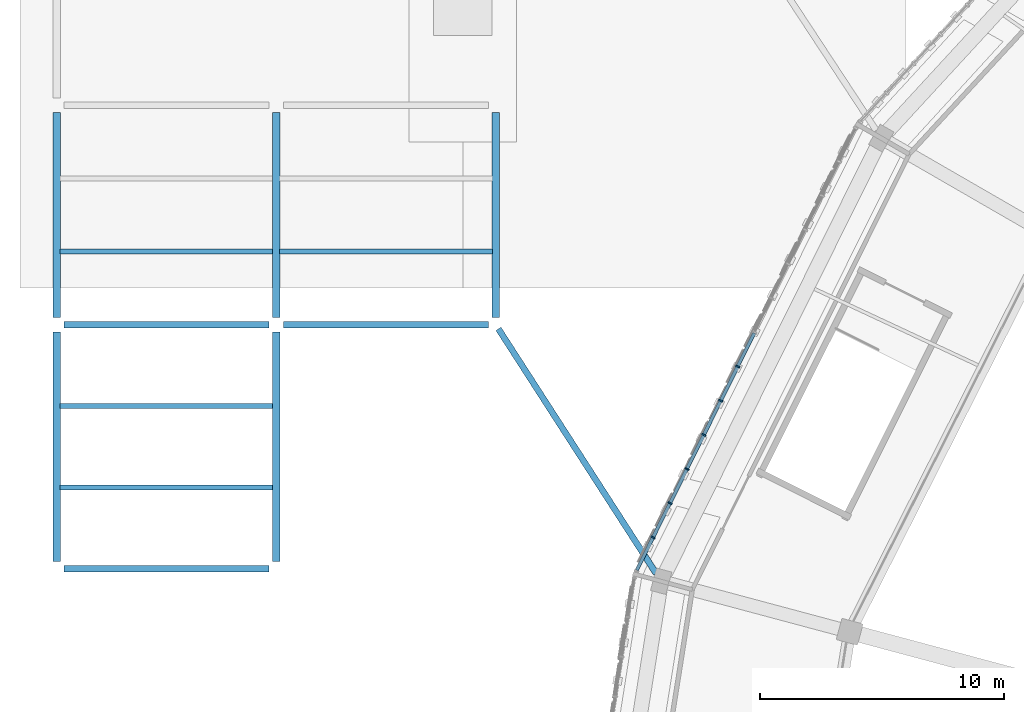
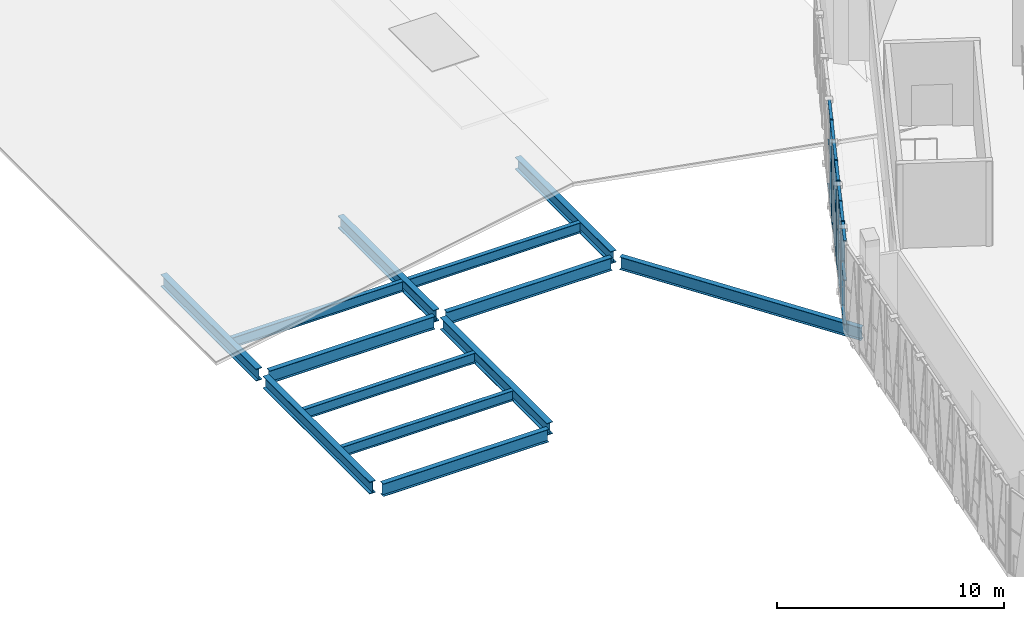
# One storey, part 16 of 108: 27 members, 13 beams, 1 element without a shape of its own.
"""IFC4 building model written with IfcOpenShell, lengths in metres."""

from ifc_helpers import new_model, si_unit, direction, frame, origin, origin_2d, place, context, subcontext, project, spatial, rectangle, i_section, extrude, material, material_profile, profile_set, type_object, element, aggregate, save


model = new_model("IFC4")

# Units and contexts
model_context = context("Model", 3, precision=1e-05, world=origin(), true_north=direction((0.0, 1.0)))
body_context = subcontext(model_context, "Body", "Model", "MODEL_VIEW")
ifc_project = project(units=[si_unit("LENGTHUNIT", "METRE"), si_unit("AREAUNIT", "SQUARE_METRE"), si_unit("VOLUMEUNIT", "CUBIC_METRE"), si_unit("PLANEANGLEUNIT", "RADIAN"), si_unit("MASSUNIT", "GRAM", prefix="KILO")], contexts=[model_context])

# Site, building, storey
site_placement = place(None, origin())
site = spatial("IfcSite", under=ifc_project, at=site_placement, CompositionType="ELEMENT")
building_placement = place(site_placement, origin())
building = spatial("IfcBuilding", under=site, at=building_placement, Name="Zevraka Park Crest Stadium", CompositionType="ELEMENT")
storey_placement = place(building_placement, frame((0.0, 0.0, 19.800048828125)))
storey = spatial("IfcBuildingStorey", under=building, at=storey_placement, Name="L04", CompositionType="ELEMENT", Elevation=19.800048828125)

# Beams
ifc_material_1 = material(Name="Steel S355", Category="steel")
ifc_material_profile_1 = material_profile(ifc_material_1, i_section(OverallWidth=0.253662109375, OverallDepth=0.68359375, WebThickness=0.012451171875, FlangeThickness=0.01904296875, at=origin_2d()), Name="UKB 686x254x140")
ifc_profile_set_1 = profile_set([ifc_material_profile_1], Name="Steel S355")
beam_type_1 = type_object("IfcBeamType", Name="BG05", PredefinedType="BEAM", material=ifc_profile_set_1)
for number, where, z_axis, x_axis, name in (
    (1, (0.300048828125, 112.0, -0.60986328125), (1.0, 0.0, 0.0), (0.0, 1.0, 0.0), "Wing Girder BG05 L04-12/N"),
    (2, (0.300048828125, 122.0, -0.60986328125), (1.0, 0.0, 0.0), (0.0, 1.0, 0.0), "Wing Girder BG05 L04-12/P"),
    (3, (9.300048828125, 122.0, -0.60986328125), (1.0, 0.0, 0.0), (0.0, 1.0, 0.0), "Wing Girder BG05 L04-23/P"),
):
    element("IfcBeam", number, at=place(storey_placement, frame(where, z_axis=z_axis, x_axis=x_axis)), inside=storey, type_object=beam_type_1, Name=name, PredefinedType="BEAM", context=body_context, shape_type="SweptSolid", body=[
        extrude(i_section(OverallWidth=0.253662109375, OverallDepth=0.68359375, WebThickness=0.012451171875, FlangeThickness=0.01904296875, at=origin_2d()), origin(), (0.0, 0.0, 1.0), 8.39990234375),
    ])
beam_1_placement = place(storey_placement, frame((18.10791015625, 121.83203125, -0.60986328125), z_axis=(0.541895124662, -0.840446115981, 0.0), x_axis=(0.840446115981, 0.541895124662, 0.0)))
element("IfcBeam", 4, at=beam_1_placement, inside=storey, type_object=beam_type_1, Name="Wing Link Girder BG05 L04-3/P", PredefinedType="BEAM", context=body_context, shape_type="SweptSolid", body=[
    extrude(i_section(OverallWidth=0.253662109375, OverallDepth=0.68359375, WebThickness=0.012451171875, FlangeThickness=0.01904296875, at=origin_2d()), origin(), (0.0, 0.0, 1.0), 11.927001953125),
])
ifc_material_2 = material(Name="Steel S355", Category="steel")
ifc_material_profile_2 = material_profile(ifc_material_2, i_section(OverallWidth=0.300048828125, OverallDepth=0.64990234375, WebThickness=0.01611328125, FlangeThickness=0.031005859375, at=origin_2d()), Name="HEB 650")
ifc_profile_set_2 = profile_set([ifc_material_profile_2], Name="Steel S355")
beam_type_2 = type_object("IfcBeamType", Name="BG07", PredefinedType="BEAM", material=ifc_profile_set_2)
beam_2_placement = place(storey_placement, frame((0.0, 112.300048828125, -0.593017578125), z_axis=(0.0, 1.0, 0.0), x_axis=(-1.0, 0.0, 0.0)))
element("IfcBeam", 5, at=beam_2_placement, inside=storey, type_object=beam_type_2, Name="Wing Girder BG07 L04-1/NP", PredefinedType="BEAM", context=body_context, shape_type="SweptSolid", body=[
    extrude(i_section(OverallWidth=0.300048828125, OverallDepth=0.64990234375, WebThickness=0.01611328125, FlangeThickness=0.031005859375, at=origin_2d()), origin(), (0.0, 0.0, 1.0), 9.39990234375),
])
beam_3_placement = place(storey_placement, frame((0.0, 122.300048828125, -0.593017578125), z_axis=(0.0, 1.0, 0.0), x_axis=(-1.0, 0.0, 0.0)))
element("IfcBeam", 6, at=beam_3_placement, inside=storey, type_object=beam_type_2, Name="Wing Girder BG07 L04-1/PQ", PredefinedType="BEAM", context=body_context, shape_type="SweptSolid", body=[
    extrude(i_section(OverallWidth=0.300048828125, OverallDepth=0.64990234375, WebThickness=0.01611328125, FlangeThickness=0.031005859375, at=origin_2d()), origin(), (0.0, 0.0, 1.0), 8.39990234375),
])
beam_4_placement = place(storey_placement, frame((9.0, 112.300048828125, -0.593017578125), z_axis=(0.0, 1.0, 0.0), x_axis=(-1.0, 0.0, 0.0)))
element("IfcBeam", 7, at=beam_4_placement, inside=storey, type_object=beam_type_2, Name="Wing Girder BG07 L04-2/NP", PredefinedType="BEAM", context=body_context, shape_type="SweptSolid", body=[
    extrude(i_section(OverallWidth=0.300048828125, OverallDepth=0.64990234375, WebThickness=0.01611328125, FlangeThickness=0.031005859375, at=origin_2d()), origin(), (0.0, 0.0, 1.0), 9.39990234375),
])
for number, where, z_axis, x_axis, name in (
    (8, (9.0, 122.300048828125, -0.593017578125), (0.0, 1.0, 0.0), (-1.0, 0.0, 0.0), "Wing Girder BG07 L04-2/PQ"),
    (9, (18.0, 122.300048828125, -0.593017578125), (0.0, 1.0, 0.0), (-1.0, 0.0, 0.0), "Wing Girder BG07 L04-3/PQ"),
):
    element("IfcBeam", number, at=place(storey_placement, frame(where, z_axis=z_axis, x_axis=x_axis)), inside=storey, type_object=beam_type_2, Name=name, PredefinedType="BEAM", context=body_context, shape_type="SweptSolid", body=[
        extrude(i_section(OverallWidth=0.300048828125, OverallDepth=0.64990234375, WebThickness=0.01611328125, FlangeThickness=0.031005859375, at=origin_2d()), origin(), (0.0, 0.0, 1.0), 8.39990234375),
    ])

# Curtain wall, members
ifc_material_3 = material(Name="Anodised architectural aluminium and laminated safety glass", Category="aluminium")
curtain_wall_type = type_object("IfcCurtainWallType", Name="CW17", PredefinedType="NOTDEFINED", material=ifc_material_3)
curtain_wall_placement = place(storey_placement, origin())
curtain_wall = element("IfcCurtainWall", 10, at=curtain_wall_placement, inside=storey, type_object=curtain_wall_type, Name="Unitised Ring Curtain Wall CW17 L04-10", PredefinedType="NOTDEFINED")
ifc_material_4 = material(Name="Anodised architectural aluminium", Category="aluminium")
ifc_material_profile_3 = material_profile(ifc_material_4, rectangle(XDim=0.179931640625, YDim=0.06494140625, at=origin_2d()), Name="ALU MULLION 180x65")
ifc_profile_set_3 = profile_set([ifc_material_profile_3], Name="Anodised architectural aluminium")
member_type_1 = type_object("IfcMemberType", Name="CM02", PredefinedType="MULLION", material=ifc_profile_set_3)
member_1_placement = place(storey_placement, frame((27.91357421875, 120.28955078125, 0.0), z_axis=(0.0, 0.0, 1.0), x_axis=(0.896046076106, -0.443961067545, 0.0)))
member_1 = element("IfcMember", 11, at=member_1_placement, type_object=member_type_1, Name="CW17 mullion 8", PredefinedType="MULLION", context=body_context, shape_type="SweptSolid", body=[
    extrude(rectangle(XDim=0.179931640625, YDim=0.06494140625, at=origin_2d()), origin(), (0.0, 0.0, 1.0), 4.5400390625),
])
member_2_placement = place(storey_placement, frame((27.219970703125, 118.8896484375, 0.0), z_axis=(0.0, 0.0, 1.0), x_axis=(0.896046076106, -0.443961067545, 0.0)))
member_2 = element("IfcMember", 12, at=member_2_placement, type_object=member_type_1, Name="CW17 mullion 9", PredefinedType="MULLION", context=body_context, shape_type="SweptSolid", body=[
    extrude(rectangle(XDim=0.179931640625, YDim=0.06494140625, at=origin_2d()), origin(), (0.0, 0.0, 1.0), 4.5400390625),
])
member_3_placement = place(storey_placement, frame((26.5263671875, 117.48974609375, 0.0), z_axis=(0.0, 0.0, 1.0), x_axis=(0.896046076106, -0.443961067545, 0.0)))
member_3 = element("IfcMember", 13, at=member_3_placement, type_object=member_type_1, Name="CW17 mullion 10", PredefinedType="MULLION", context=body_context, shape_type="SweptSolid", body=[
    extrude(rectangle(XDim=0.179931640625, YDim=0.06494140625, at=origin_2d()), origin(), (0.0, 0.0, 1.0), 4.5400390625),
])
member_4_placement = place(storey_placement, frame((25.832763671875, 116.08984375, 0.0), z_axis=(0.0, 0.0, 1.0), x_axis=(0.896046076106, -0.443961067545, 0.0)))
member_4 = element("IfcMember", 14, at=member_4_placement, type_object=member_type_1, Name="CW17 mullion 11", PredefinedType="MULLION", context=body_context, shape_type="SweptSolid", body=[
    extrude(rectangle(XDim=0.179931640625, YDim=0.06494140625, at=origin_2d()), origin(), (0.0, 0.0, 1.0), 4.5400390625),
])
member_5_placement = place(storey_placement, frame((25.13916015625, 114.68994140625, 0.0), z_axis=(0.0, 0.0, 1.0), x_axis=(0.896046076106, -0.443961067545, 0.0)))
member_5 = element("IfcMember", 15, at=member_5_placement, type_object=member_type_1, Name="CW17 mullion 12", PredefinedType="MULLION", context=body_context, shape_type="SweptSolid", body=[
    extrude(rectangle(XDim=0.179931640625, YDim=0.06494140625, at=origin_2d()), origin(), (0.0, 0.0, 1.0), 4.5400390625),
])
member_6_placement = place(storey_placement, frame((24.445556640625, 113.2900390625, 0.0), z_axis=(0.0, 0.0, 1.0), x_axis=(0.896046076106, -0.443961067545, 0.0)))
member_6 = element("IfcMember", 16, at=member_6_placement, type_object=member_type_1, Name="CW17 mullion 13", PredefinedType="MULLION", context=body_context, shape_type="SweptSolid", body=[
    extrude(rectangle(XDim=0.179931640625, YDim=0.06494140625, at=origin_2d()), origin(), (0.0, 0.0, 1.0), 4.5400390625),
])
ifc_material_5 = material(Name="Anodised architectural aluminium", Category="aluminium")
ifc_material_profile_4 = material_profile(ifc_material_5, rectangle(XDim=0.139892578125, YDim=0.06494140625, at=origin_2d()), Name="ALU TRANSOM 140x65")
ifc_profile_set_4 = profile_set([ifc_material_profile_4], Name="Anodised architectural aluminium")
member_type_2 = type_object("IfcMemberType", Name="CT02", PredefinedType="USERDEFINED", material=ifc_profile_set_4)
member_7_placement = place(storey_placement, frame((28.5927734375, 121.660400390625, 0.032470703125), z_axis=(-0.443818964624, -0.89611646935, 0.0), x_axis=(0.89611646935, -0.443818964624, 0.0)))
member_7 = element("IfcMember", 17, at=member_7_placement, type_object=member_type_2, Name="CW17 transom 7.1", ObjectType="TRANSOM", PredefinedType="USERDEFINED", context=body_context, shape_type="SweptSolid", body=[
    extrude(rectangle(XDim=0.139892578125, YDim=0.06494140625, at=origin_2d()), origin(), (0.0, 0.0, 1.0), 1.497314453125),
])
member_8_placement = place(storey_placement, frame((28.5927734375, 121.660400390625, 2.39990234375), z_axis=(-0.443818964624, -0.89611646935, 0.0), x_axis=(0.89611646935, -0.443818964624, 0.0)))
member_8 = element("IfcMember", 18, at=member_8_placement, type_object=member_type_2, Name="CW17 transom 7.2", ObjectType="TRANSOM", PredefinedType="USERDEFINED", context=body_context, shape_type="SweptSolid", body=[
    extrude(rectangle(XDim=0.139892578125, YDim=0.06494140625, at=origin_2d()), origin(), (0.0, 0.0, 1.0), 1.497314453125),
])
member_9_placement = place(storey_placement, frame((28.5927734375, 121.660400390625, 4.507568359375), z_axis=(-0.443818964624, -0.89611646935, 0.0), x_axis=(0.89611646935, -0.443818964624, 0.0)))
member_9 = element("IfcMember", 19, at=member_9_placement, type_object=member_type_2, Name="CW17 transom 7.3", ObjectType="TRANSOM", PredefinedType="USERDEFINED", context=body_context, shape_type="SweptSolid", body=[
    extrude(rectangle(XDim=0.139892578125, YDim=0.06494140625, at=origin_2d()), origin(), (0.0, 0.0, 1.0), 1.497314453125),
])
member_10_placement = place(storey_placement, frame((27.899169921875, 120.260498046875, 0.032470703125), z_axis=(-0.443818964624, -0.89611646935, 0.0), x_axis=(0.89611646935, -0.443818964624, 0.0)))
member_10 = element("IfcMember", 20, at=member_10_placement, type_object=member_type_2, Name="CW17 transom 8.1", ObjectType="TRANSOM", PredefinedType="USERDEFINED", context=body_context, shape_type="SweptSolid", body=[
    extrude(rectangle(XDim=0.139892578125, YDim=0.06494140625, at=origin_2d()), origin(), (0.0, 0.0, 1.0), 1.497314453125),
])
member_11_placement = place(storey_placement, frame((27.899169921875, 120.260498046875, 2.39990234375), z_axis=(-0.443818964624, -0.89611646935, 0.0), x_axis=(0.89611646935, -0.443818964624, 0.0)))
member_11 = element("IfcMember", 21, at=member_11_placement, type_object=member_type_2, Name="CW17 transom 8.2", ObjectType="TRANSOM", PredefinedType="USERDEFINED", context=body_context, shape_type="SweptSolid", body=[
    extrude(rectangle(XDim=0.139892578125, YDim=0.06494140625, at=origin_2d()), origin(), (0.0, 0.0, 1.0), 1.497314453125),
])
member_12_placement = place(storey_placement, frame((27.899169921875, 120.260498046875, 4.507568359375), z_axis=(-0.443818964624, -0.89611646935, 0.0), x_axis=(0.89611646935, -0.443818964624, 0.0)))
member_12 = element("IfcMember", 22, at=member_12_placement, type_object=member_type_2, Name="CW17 transom 8.3", ObjectType="TRANSOM", PredefinedType="USERDEFINED", context=body_context, shape_type="SweptSolid", body=[
    extrude(rectangle(XDim=0.139892578125, YDim=0.06494140625, at=origin_2d()), origin(), (0.0, 0.0, 1.0), 1.497314453125),
])
member_13_placement = place(storey_placement, frame((27.20556640625, 118.860595703125, 0.032470703125), z_axis=(-0.443949882668, -0.896051617754, 0.0), x_axis=(0.896051617754, -0.443949882668, 0.0)))
member_13 = element("IfcMember", 23, at=member_13_placement, type_object=member_type_2, Name="CW17 transom 9.1", ObjectType="TRANSOM", PredefinedType="USERDEFINED", context=body_context, shape_type="SweptSolid", body=[
    extrude(rectangle(XDim=0.139892578125, YDim=0.06494140625, at=origin_2d()), origin(), (0.0, 0.0, 1.0), 1.49755859375),
])
member_14_placement = place(storey_placement, frame((27.20556640625, 118.860595703125, 2.39990234375), z_axis=(-0.443949882668, -0.896051617754, 0.0), x_axis=(0.896051617754, -0.443949882668, 0.0)))
member_14 = element("IfcMember", 24, at=member_14_placement, type_object=member_type_2, Name="CW17 transom 9.2", ObjectType="TRANSOM", PredefinedType="USERDEFINED", context=body_context, shape_type="SweptSolid", body=[
    extrude(rectangle(XDim=0.139892578125, YDim=0.06494140625, at=origin_2d()), origin(), (0.0, 0.0, 1.0), 1.49755859375),
])
member_15_placement = place(storey_placement, frame((27.20556640625, 118.860595703125, 4.507568359375), z_axis=(-0.443949882668, -0.896051617754, 0.0), x_axis=(0.896051617754, -0.443949882668, 0.0)))
member_15 = element("IfcMember", 25, at=member_15_placement, type_object=member_type_2, Name="CW17 transom 9.3", ObjectType="TRANSOM", PredefinedType="USERDEFINED", context=body_context, shape_type="SweptSolid", body=[
    extrude(rectangle(XDim=0.139892578125, YDim=0.06494140625, at=origin_2d()), origin(), (0.0, 0.0, 1.0), 1.49755859375),
])
member_16_placement = place(storey_placement, frame((26.511962890625, 117.46044921875, 0.032470703125), z_axis=(-0.444014747446, -0.896019477495, 0.0), x_axis=(0.896019477495, -0.444014747446, 0.0)))
member_16 = element("IfcMember", 26, at=member_16_placement, type_object=member_type_2, Name="CW17 transom 10.1", ObjectType="TRANSOM", PredefinedType="USERDEFINED", context=body_context, shape_type="SweptSolid", body=[
    extrude(rectangle(XDim=0.139892578125, YDim=0.06494140625, at=origin_2d()), origin(), (0.0, 0.0, 1.0), 1.497314453125),
])
member_17_placement = place(storey_placement, frame((26.511962890625, 117.46044921875, 2.39990234375), z_axis=(-0.444014747446, -0.896019477495, 0.0), x_axis=(0.896019477495, -0.444014747446, 0.0)))
member_17 = element("IfcMember", 27, at=member_17_placement, type_object=member_type_2, Name="CW17 transom 10.2", ObjectType="TRANSOM", PredefinedType="USERDEFINED", context=body_context, shape_type="SweptSolid", body=[
    extrude(rectangle(XDim=0.139892578125, YDim=0.06494140625, at=origin_2d()), origin(), (0.0, 0.0, 1.0), 1.497314453125),
])
member_18_placement = place(storey_placement, frame((26.511962890625, 117.46044921875, 4.507568359375), z_axis=(-0.444014747446, -0.896019477495, 0.0), x_axis=(0.896019477495, -0.444014747446, 0.0)))
member_18 = element("IfcMember", 28, at=member_18_placement, type_object=member_type_2, Name="CW17 transom 10.3", ObjectType="TRANSOM", PredefinedType="USERDEFINED", context=body_context, shape_type="SweptSolid", body=[
    extrude(rectangle(XDim=0.139892578125, YDim=0.06494140625, at=origin_2d()), origin(), (0.0, 0.0, 1.0), 1.497314453125),
])
member_19_placement = place(storey_placement, frame((25.818359375, 116.060546875, 0.032470703125), z_axis=(-0.444014747446, -0.896019477495, 0.0), x_axis=(0.896019477495, -0.444014747446, 0.0)))
member_19 = element("IfcMember", 29, at=member_19_placement, type_object=member_type_2, Name="CW17 transom 11.1", ObjectType="TRANSOM", PredefinedType="USERDEFINED", context=body_context, shape_type="SweptSolid", body=[
    extrude(rectangle(XDim=0.139892578125, YDim=0.06494140625, at=origin_2d()), origin(), (0.0, 0.0, 1.0), 1.497314453125),
])
member_20_placement = place(storey_placement, frame((25.818359375, 116.060546875, 2.39990234375), z_axis=(-0.444014747446, -0.896019477495, 0.0), x_axis=(0.896019477495, -0.444014747446, 0.0)))
member_20 = element("IfcMember", 30, at=member_20_placement, type_object=member_type_2, Name="CW17 transom 11.2", ObjectType="TRANSOM", PredefinedType="USERDEFINED", context=body_context, shape_type="SweptSolid", body=[
    extrude(rectangle(XDim=0.139892578125, YDim=0.06494140625, at=origin_2d()), origin(), (0.0, 0.0, 1.0), 1.497314453125),
])
member_21_placement = place(storey_placement, frame((25.818359375, 116.060546875, 4.507568359375), z_axis=(-0.444014747446, -0.896019477495, 0.0), x_axis=(0.896019477495, -0.444014747446, 0.0)))
member_21 = element("IfcMember", 31, at=member_21_placement, type_object=member_type_2, Name="CW17 transom 11.3", ObjectType="TRANSOM", PredefinedType="USERDEFINED", context=body_context, shape_type="SweptSolid", body=[
    extrude(rectangle(XDim=0.139892578125, YDim=0.06494140625, at=origin_2d()), origin(), (0.0, 0.0, 1.0), 1.497314453125),
])
member_22_placement = place(storey_placement, frame((25.124755859375, 114.66064453125, 0.032470703125), z_axis=(-0.444014747446, -0.896019477495, 0.0), x_axis=(0.896019477495, -0.444014747446, 0.0)))
member_22 = element("IfcMember", 32, at=member_22_placement, type_object=member_type_2, Name="CW17 transom 12.1", ObjectType="TRANSOM", PredefinedType="USERDEFINED", context=body_context, shape_type="SweptSolid", body=[
    extrude(rectangle(XDim=0.139892578125, YDim=0.06494140625, at=origin_2d()), origin(), (0.0, 0.0, 1.0), 1.497314453125),
])
member_23_placement = place(storey_placement, frame((25.124755859375, 114.66064453125, 2.39990234375), z_axis=(-0.444014747446, -0.896019477495, 0.0), x_axis=(0.896019477495, -0.444014747446, 0.0)))
member_23 = element("IfcMember", 33, at=member_23_placement, type_object=member_type_2, Name="CW17 transom 12.2", ObjectType="TRANSOM", PredefinedType="USERDEFINED", context=body_context, shape_type="SweptSolid", body=[
    extrude(rectangle(XDim=0.139892578125, YDim=0.06494140625, at=origin_2d()), origin(), (0.0, 0.0, 1.0), 1.497314453125),
])
member_24_placement = place(storey_placement, frame((25.124755859375, 114.66064453125, 4.507568359375), z_axis=(-0.444014747446, -0.896019477495, 0.0), x_axis=(0.896019477495, -0.444014747446, 0.0)))
member_24 = element("IfcMember", 34, at=member_24_placement, type_object=member_type_2, Name="CW17 transom 12.3", ObjectType="TRANSOM", PredefinedType="USERDEFINED", context=body_context, shape_type="SweptSolid", body=[
    extrude(rectangle(XDim=0.139892578125, YDim=0.06494140625, at=origin_2d()), origin(), (0.0, 0.0, 1.0), 1.497314453125),
])
member_25_placement = place(storey_placement, frame((24.43115234375, 113.2607421875, 0.032470703125), z_axis=(-0.444010656384, -0.896021504774, 0.0), x_axis=(0.896021504774, -0.444010656384, 0.0)))
member_25 = element("IfcMember", 35, at=member_25_placement, type_object=member_type_2, Name="CW17 transom 13.1", ObjectType="TRANSOM", PredefinedType="USERDEFINED", context=body_context, shape_type="SweptSolid", body=[
    extrude(rectangle(XDim=0.139892578125, YDim=0.06494140625, at=origin_2d()), origin(), (0.0, 0.0, 1.0), 1.46484375),
])
member_26_placement = place(storey_placement, frame((24.43115234375, 113.2607421875, 2.39990234375), z_axis=(-0.444010656384, -0.896021504774, 0.0), x_axis=(0.896021504774, -0.444010656384, 0.0)))
member_26 = element("IfcMember", 36, at=member_26_placement, type_object=member_type_2, Name="CW17 transom 13.2", ObjectType="TRANSOM", PredefinedType="USERDEFINED", context=body_context, shape_type="SweptSolid", body=[
    extrude(rectangle(XDim=0.139892578125, YDim=0.06494140625, at=origin_2d()), origin(), (0.0, 0.0, 1.0), 1.46484375),
])
member_27_placement = place(storey_placement, frame((24.43115234375, 113.2607421875, 4.507568359375), z_axis=(-0.444010656384, -0.896021504774, 0.0), x_axis=(0.896021504774, -0.444010656384, 0.0)))
member_27 = element("IfcMember", 37, at=member_27_placement, type_object=member_type_2, Name="CW17 transom 13.3", ObjectType="TRANSOM", PredefinedType="USERDEFINED", context=body_context, shape_type="SweptSolid", body=[
    extrude(rectangle(XDim=0.139892578125, YDim=0.06494140625, at=origin_2d()), origin(), (0.0, 0.0, 1.0), 1.46484375),
])
aggregate(curtain_wall, [member_1, member_2, member_3, member_4, member_5, member_6, member_7, member_8, member_9, member_10, member_11, member_12, member_13, member_14, member_15, member_16, member_17, member_18, member_19, member_20, member_21, member_22, member_23, member_24, member_25, member_26, member_27])

# Beams
ifc_material_6 = material(Name="Steel S355", Category="steel")
ifc_material_profile_5 = material_profile(ifc_material_6, i_section(OverallWidth=0.2099609375, OverallDepth=0.550048828125, WebThickness=0.010986328125, FlangeThickness=0.01708984375, at=origin_2d()), Name="IPE 550")
ifc_profile_set_5 = profile_set([ifc_material_profile_5], Name="Steel S355")
beam_type_3 = type_object("IfcBeamType", Name="SJ04", PredefinedType="JOIST", material=ifc_profile_set_5)
for number, where, z_axis, x_axis, name in (
    (38, (0.14501953125, 115.3330078125, -0.545166015625), (1.0, 0.0, 0.0), (0.0, 1.0, 0.0), "Wing Joist SJ04 L04-1/N-1"),
    (39, (0.14501953125, 118.6669921875, -0.545166015625), (1.0, 0.0, 0.0), (0.0, 1.0, 0.0), "Wing Joist SJ04 L04-1/N-2"),
    (40, (0.14501953125, 125.0, -0.545166015625), (1.0, 0.0, 0.0), (0.0, 1.0, 0.0), "Wing Joist SJ04 L04-1/P-1"),
    (41, (9.14501953125, 125.0, -0.545166015625), (1.0, 0.0, 0.0), (0.0, 1.0, 0.0), "Wing Joist SJ04 L04-2/P-1"),
):
    element("IfcBeam", number, at=place(storey_placement, frame(where, z_axis=z_axis, x_axis=x_axis)), inside=storey, type_object=beam_type_3, Name=name, PredefinedType="JOIST", context=body_context, shape_type="SweptSolid", body=[
        extrude(i_section(OverallWidth=0.2099609375, OverallDepth=0.550048828125, WebThickness=0.010986328125, FlangeThickness=0.01708984375, at=origin_2d()), origin(), (0.0, 0.0, 1.0), 8.7099609375),
    ])

save(model, "model.ifc")
